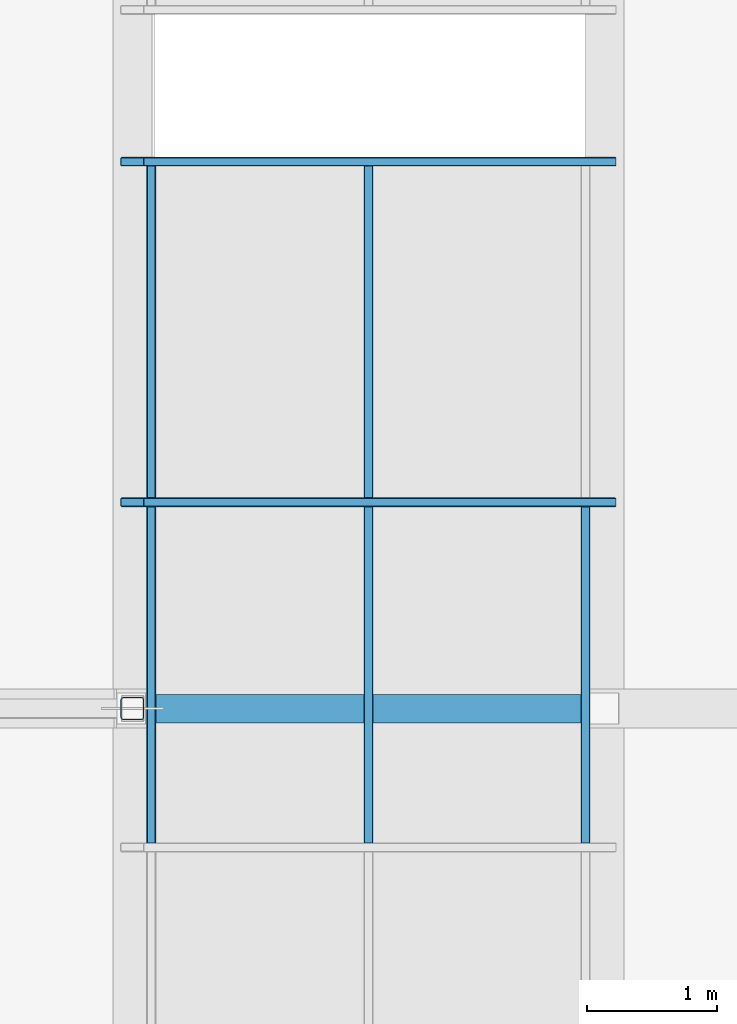
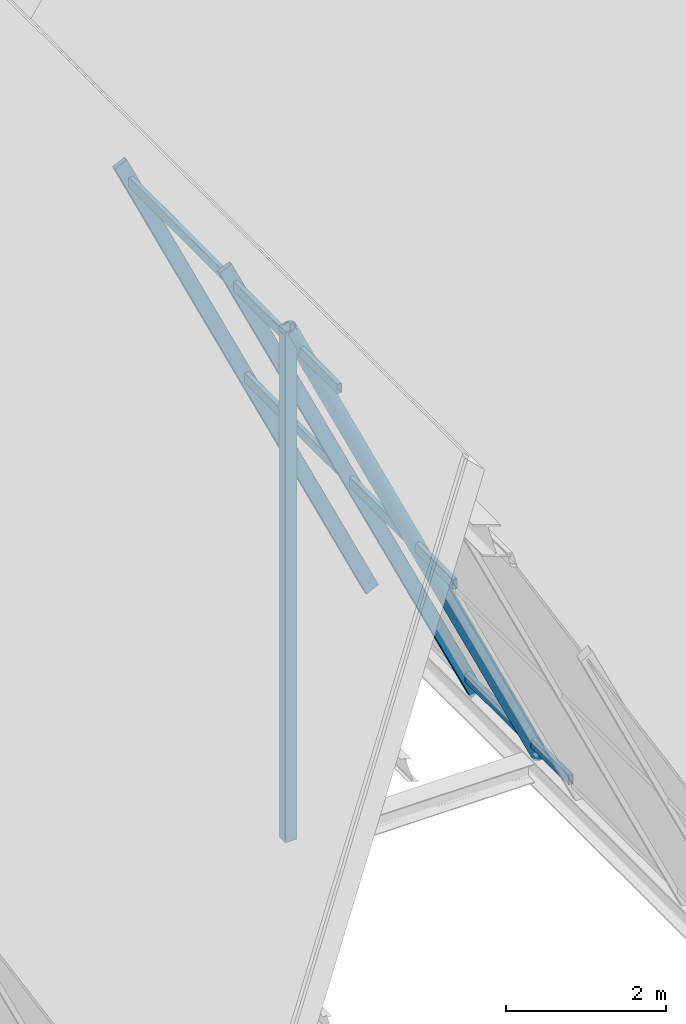
# One storey, part 41 of 99: 9 members, 1 element without a shape of its own.
"""IFC4 building model written with IfcOpenShell, lengths in metres."""

import ifcopenshell
import ifcopenshell.guid

model = None  # the IFC model being written
_history = None  # IfcOwnerHistory: only IFC2X3 demands one
_inside = {}  # id of a spatial element -> (the spatial element, [elements in it])
_under = {}  # id of a project, library or spatial element -> (it, [spatial elements below it])
_declared = {}  # id of a project -> (the project, [libraries it declares])
_typed = {}  # id of a type object -> (the type object, [elements of that type])
_made_of = {}  # id of a material, layer set ... -> (it, [elements and type objects made of it])


def new_model(schema):
    """Start an empty IFC model of exactly this schema.

    Asked for "IFC4X3", IfcOpenShell would pick the latest addendum, in which some entities
    have other attributes; the version numbers below select the first issue.
    IFC2X3 requires an IfcOwnerHistory on every rooted entity: one is made here for all.
    """
    global model, _history
    if schema == "IFC4X3":
        model = ifcopenshell.file(schema_version=(4, 3, 0, 0))
    else:
        model = ifcopenshell.file(schema=schema)
    _inside.clear()
    _under.clear()
    _declared.clear()
    _typed.clear()
    _made_of.clear()
    _history = None
    if model.schema == "IFC2X3":
        org = make("IfcOrganization", Name="unknown")
        user = make(
            "IfcPersonAndOrganization",
            ThePerson=make("IfcPerson", FamilyName="unknown"),
            TheOrganization=org,
        )
        app = make(
            "IfcApplication",
            ApplicationDeveloper=org,
            Version="unknown",
            ApplicationFullName="unknown",
            ApplicationIdentifier="unknown",
        )
        _history = make(
            "IfcOwnerHistory",
            OwningUser=user,
            OwningApplication=app,
            ChangeAction="ADDED",
            CreationDate=0,
        )
    return model


def make(cls, **values):
    """One entity of the class cls with the attributes given. An attribute that is None is left unset."""
    return model.create_entity(
        cls, **{name: value for name, value in values.items() if value is not None}
    )


def rooted(cls, **values):
    """An entity with a GlobalId (a new one), such as an element, a storey or a relation."""
    return make(cls, GlobalId=ifcopenshell.guid.new(), OwnerHistory=_history, **values)


def si_unit(unit_type, name, prefix=None):
    """IfcSIUnit, for example si_unit("LENGTHUNIT", "METRE", prefix="MILLI")."""
    return make("IfcSIUnit", UnitType=unit_type, Prefix=prefix, Name=name)


def assignment(units):
    """IfcUnitAssignment: the units of a project."""
    return None if units is None else make("IfcUnitAssignment", Units=units)


def point(xyz):
    """IfcCartesianPoint."""
    return None if xyz is None else make("IfcCartesianPoint", Coordinates=xyz)


def direction(xyz):
    """IfcDirection."""
    return None if xyz is None else make("IfcDirection", DirectionRatios=xyz)


def frame(location, z_axis=None, x_axis=None):
    """IfcAxis2Placement3D, a coordinate frame: its origin and axes. An axis left out is left unset."""
    return make(
        "IfcAxis2Placement3D",
        Location=point(location),
        Axis=direction(z_axis),
        RefDirection=direction(x_axis),
    )


def frame_2d(location, x_axis=None):
    """IfcAxis2Placement2D, a coordinate frame in the plane: its origin and x axis."""
    return make(
        "IfcAxis2Placement2D", Location=point(location), RefDirection=direction(x_axis)
    )


def origin():
    """The frame at (0, 0, 0) with its axes left unset."""
    return frame((0.0, 0.0, 0.0))


def origin_2d():
    """The frame at (0, 0) in the plane with its x axis left unset."""
    return frame_2d((0.0, 0.0))


def place(relative_to, where):
    """IfcLocalPlacement: puts the frame where relative to a parent placement (None: the world)."""
    return make(
        "IfcLocalPlacement", PlacementRelTo=relative_to, RelativePlacement=where
    )


def context(
    kind, dimensions, precision=None, world=None, true_north=None, identifier=None
):
    """IfcGeometricRepresentationContext, for example the 3D "Model" context."""
    return make(
        "IfcGeometricRepresentationContext",
        ContextIdentifier=identifier,
        ContextType=kind,
        CoordinateSpaceDimension=dimensions,
        Precision=precision,
        WorldCoordinateSystem=world,
        TrueNorth=true_north,
    )


def subcontext(parent, identifier, kind, view, scale=None):
    """IfcGeometricRepresentationSubContext, for example "Body" below "Model"."""
    return make(
        "IfcGeometricRepresentationSubContext",
        ContextIdentifier=identifier,
        ContextType=kind,
        ParentContext=parent,
        TargetScale=scale,
        TargetView=view,
    )


def project(units=None, contexts=None):
    """IfcProject with its units and contexts."""
    return rooted(
        "IfcProject",
        Name="project",
        RepresentationContexts=contexts,
        UnitsInContext=assignment(units),
    )


def spatial(cls, under=None, at=None, **own):
    """A site, building, storey or space (cls), placed at a placement, below another one or the project."""
    s = rooted(cls, ObjectPlacement=at, **own)
    if under is not None:
        _under.setdefault(under.id(), (under, []))[1].append(s)
    return s


def profile(cls, at=None, kind="AREA", **sizes):
    """A parametric profile (cls). Its sizes go by their IFC names, for example OverallWidth=200.0."""
    return make(cls, ProfileType=kind, Position=at, **sizes)


def hollow_rectangle(**sizes):
    """IfcRectangleHollowProfileDef."""
    return profile("IfcRectangleHollowProfileDef", **sizes)


def hollow_circle(**sizes):
    """IfcCircleHollowProfileDef."""
    return profile("IfcCircleHollowProfileDef", **sizes)


def extrude(swept, where, along, depth):
    """IfcExtrudedAreaSolid: the profile swept, set in the frame where, extruded along a direction by depth."""
    return make(
        "IfcExtrudedAreaSolid",
        SweptArea=swept,
        Position=where,
        ExtrudedDirection=direction(along),
        Depth=depth,
    )


def shape(context_of_items, identifier, shape_type, items):
    """IfcShapeRepresentation: the items that make up one representation, for example the "Body"."""
    return make(
        "IfcShapeRepresentation",
        ContextOfItems=context_of_items,
        RepresentationIdentifier=identifier,
        RepresentationType=shape_type,
        Items=items,
    )


def material(Name=None, Category=None):
    """IfcMaterial."""
    return make("IfcMaterial", Name=Name, Category=Category)


def material_profile(
    of_material, cross_section, Name=None, Category=None, Priority=None
):
    """IfcMaterialProfile: a cross section and its material."""
    return make(
        "IfcMaterialProfile",
        Name=Name,
        Material=of_material,
        Profile=cross_section,
        Priority=Priority,
        Category=Category,
    )


def profile_set(profiles, Name=None, composite=None):
    """IfcMaterialProfileSet."""
    return make(
        "IfcMaterialProfileSet",
        Name=Name,
        MaterialProfiles=profiles,
        CompositeProfile=composite,
    )


def made_of(thing, what):
    """Note that an element or type object is made of a material, layer set ...; save() writes the relation."""
    if what is not None:
        _made_of.setdefault(what.id(), (what, []))[1].append(thing)
    return thing


def type_object(cls, material=None, **own):
    """A type object (cls), such as IfcWallType, which elements share."""
    return made_of(rooted(cls, **own), material)


def element(
    cls,
    number,
    at=None,
    inside=None,
    cuts=None,
    type_object=None,
    material=None,
    context=None,
    identifier="Body",
    shape_type=None,
    held_by="IfcProductDefinitionShape",
    body=None,
    shapes=None,
    **own,
):
    """One element of the class cls, such as IfcWall. Its Tag is "e" and its number.

    at: its placement. inside: the storey or other place that contains it. cuts: it is an
    opening in that element (IfcRelVoidsElement). A single representation is given by context,
    identifier, shape_type and body (its items); several are given by shapes. held_by: the class
    of the entity that holds the representations. save() writes the other relations.
    """
    e = rooted(cls, Tag="e%d" % number, ObjectPlacement=at, **own)
    if body is not None:
        shapes = [shape(context, identifier, shape_type, body)]
    if shapes is not None:
        e.Representation = make(held_by, Representations=shapes)
    if inside is not None:
        _inside.setdefault(inside.id(), (inside, []))[1].append(e)
    if cuts is not None:
        rooted(
            "IfcRelVoidsElement", RelatingBuildingElement=cuts, RelatedOpeningElement=e
        )
    if type_object is not None:
        _typed.setdefault(type_object.id(), (type_object, []))[1].append(e)
    return made_of(e, material)


def aggregate(whole, parts):
    """IfcRelAggregates: a whole, such as a stair, and the parts it consists of."""
    return rooted("IfcRelAggregates", RelatingObject=whole, RelatedObjects=parts)


def save(model, path):
    """Write the relations noted so far, then the file.

    IfcRelAggregates (storeys below a building ...), IfcRelContainedInSpatialStructure (elements
    in a storey), IfcRelDefinesByType, IfcRelAssociatesMaterial and IfcRelDeclares: one each for
    every whole, place, type object, material and project.
    """
    for whole, parts in _under.values():
        aggregate(whole, parts)
    for where, things in _inside.values():
        rooted(
            "IfcRelContainedInSpatialStructure",
            RelatedElements=things,
            RelatingStructure=where,
        )
    for kind, things in _typed.values():
        rooted("IfcRelDefinesByType", RelatedObjects=things, RelatingType=kind)
    for what, things in _made_of.values():
        rooted("IfcRelAssociatesMaterial", RelatedObjects=things, RelatingMaterial=what)
    for by, libraries in _declared.values():
        rooted("IfcRelDeclares", RelatingContext=by, RelatedDefinitions=libraries)
    model.write(path)


model = new_model("IFC4")

# Units and contexts
model_context = context("Model", 3, precision=1e-05, world=origin(), true_north=direction((0.0, 1.0)))
body_context = subcontext(model_context, "Body", "Model", "MODEL_VIEW")
ifc_project = project(units=[si_unit("LENGTHUNIT", "METRE"), si_unit("AREAUNIT", "SQUARE_METRE"), si_unit("VOLUMEUNIT", "CUBIC_METRE"), si_unit("PLANEANGLEUNIT", "RADIAN"), si_unit("MASSUNIT", "GRAM", prefix="KILO")], contexts=[model_context])

# Site, building, storey
site_placement = place(None, origin())
site = spatial("IfcSite", under=ifc_project, at=site_placement, CompositionType="ELEMENT")
building_placement = place(site_placement, origin())
building = spatial("IfcBuilding", under=site, at=building_placement, Name="Bramveld Media Centre", CompositionType="ELEMENT")
storey_placement = place(building_placement, frame((0.0, 0.0, 13.800048828125)))
storey = spatial("IfcBuildingStorey", under=building, at=storey_placement, Name="L03", CompositionType="ELEMENT", Elevation=13.800048828125)

# Curtain wall, members
ifc_material_1 = material(Name="Thermally broken anodized bronze aluminium unitized curtain wall with solar-control triple glazing", Category="aluminium")
curtain_wall_type = type_object("IfcCurtainWallType", Name="CW-SAW-13300x8606", PredefinedType="NOTDEFINED", material=ifc_material_1)
curtain_wall_placement = place(storey_placement, origin())
curtain_wall = element("IfcCurtainWall", 1, at=curtain_wall_placement, inside=storey, type_object=curtain_wall_type, Name="V1 sawtooth north-light clerestory B2-S1", PredefinedType="NOTDEFINED")
ifc_material_2 = material(Name="Thermally broken anodized bronze aluminium EN AW-6063 T6 curtain-wall framing", Category="aluminium")
ifc_material_profile_1 = material_profile(ifc_material_2, hollow_rectangle(XDim=0.070068359375, YDim=0.199951171875, WallThickness=0.00439453125, InnerFilletRadius=0.00439453125, OuterFilletRadius=0.009033203125, at=origin_2d()), Name="AL-MULL 70x200")
ifc_profile_set_1 = profile_set([ifc_material_profile_1], Name="Thermally broken anodized bronze aluminium EN AW-6063 T6 curtain-wall framing")
member_type_1 = type_object("IfcMemberType", Name="CW-MULL-SLP", PredefinedType="MULLION", material=ifc_profile_set_1)
member_1_placement = place(storey_placement, frame((141.71435546875, 11.18994140625, -0.02001953125), z_axis=(-0.423980334249, 0.0, 0.905671395248), x_axis=(0.0, -1.0, 0.0)))
member_1 = element("IfcMember", 2, at=member_1_placement, type_object=member_type_1, Name="CW-SA-13386 sloped mullion 5", PredefinedType="MULLION", context=body_context, shape_type="SweptSolid", body=[
    extrude(hollow_rectangle(XDim=0.070068359375, YDim=0.199951171875, WallThickness=0.00439453125, InnerFilletRadius=0.00439453125, OuterFilletRadius=0.009033203125, at=origin_2d()), origin(), (0.0, 0.0, 1.0), 8.579345703125),
])
member_2_placement = place(storey_placement, frame((141.71435546875, 13.81494140625, -0.02001953125), z_axis=(-0.423980334249, 0.0, 0.905671395248), x_axis=(0.0, -1.0, 0.0)))
member_2 = element("IfcMember", 3, at=member_2_placement, type_object=member_type_1, Name="CW-SA-13386 sloped mullion 6", PredefinedType="MULLION", context=body_context, shape_type="SweptSolid", body=[
    extrude(hollow_rectangle(XDim=0.070068359375, YDim=0.199951171875, WallThickness=0.00439453125, InnerFilletRadius=0.00439453125, OuterFilletRadius=0.009033203125, at=origin_2d()), origin(), (0.0, 0.0, 1.0), 8.579345703125),
])
ifc_material_3 = material(Name="Thermally broken anodized bronze aluminium EN AW-6063 T6 curtain-wall framing", Category="aluminium")
ifc_material_profile_2 = material_profile(ifc_material_3, hollow_rectangle(XDim=0.070068359375, YDim=0.14990234375, WallThickness=0.00390625, InnerFilletRadius=0.00390625, OuterFilletRadius=0.008056640625, at=origin_2d()), Name="AL-TRAN 70x150")
ifc_profile_set_2 = profile_set([ifc_material_profile_2], Name="Thermally broken anodized bronze aluminium EN AW-6063 T6 curtain-wall framing")
member_type_2 = type_object("IfcMemberType", Name="CW-TRAN-SLP", PredefinedType="USERDEFINED", material=ifc_profile_set_2)
member_3_placement = place(storey_placement, frame((141.56884765625, 8.56494140625, 0.290771484375), z_axis=(0.0, 1.0, 0.0), x_axis=(-1.0, 0.0, 0.0)))
member_3 = element("IfcMember", 4, at=member_3_placement, type_object=member_type_2, Name="CW-SA-13386 transom 4.1", ObjectType="TRANSOM", PredefinedType="USERDEFINED", context=body_context, shape_type="SweptSolid", body=[
    extrude(hollow_rectangle(XDim=0.070068359375, YDim=0.14990234375, WallThickness=0.00390625, InnerFilletRadius=0.00390625, OuterFilletRadius=0.008056640625, at=origin_2d()), origin(), (0.0, 0.0, 1.0), 2.590087890625),
])
member_4_placement = place(storey_placement, frame((139.8955078125, 8.56494140625, 3.864990234375), z_axis=(0.0, 1.0, 0.0), x_axis=(-1.0, 0.0, 0.0)))
member_4 = element("IfcMember", 5, at=member_4_placement, type_object=member_type_2, Name="CW-SA-13386 transom 4.2", ObjectType="TRANSOM", PredefinedType="USERDEFINED", context=body_context, shape_type="SweptSolid", body=[
    extrude(hollow_rectangle(XDim=0.070068359375, YDim=0.14990234375, WallThickness=0.00390625, InnerFilletRadius=0.00390625, OuterFilletRadius=0.008056640625, at=origin_2d()), origin(), (0.0, 0.0, 1.0), 2.590087890625),
])
member_5_placement = place(storey_placement, frame((138.222412109375, 8.56494140625, 7.439208984375), z_axis=(0.0, 1.0, 0.0), x_axis=(-1.0, 0.0, 0.0)))
member_5 = element("IfcMember", 6, at=member_5_placement, type_object=member_type_2, Name="CW-SA-13386 transom 4.3", ObjectType="TRANSOM", PredefinedType="USERDEFINED", context=body_context, shape_type="SweptSolid", body=[
    extrude(hollow_rectangle(XDim=0.070068359375, YDim=0.14990234375, WallThickness=0.00390625, InnerFilletRadius=0.00390625, OuterFilletRadius=0.008056640625, at=origin_2d()), origin(), (0.0, 0.0, 1.0), 2.590087890625),
])
member_6_placement = place(storey_placement, frame((139.8955078125, 11.22509765625, 3.864990234375), z_axis=(0.0, 1.0, 0.0), x_axis=(-1.0, 0.0, 0.0)))
member_6 = element("IfcMember", 7, at=member_6_placement, type_object=member_type_2, Name="CW-SA-13386 transom 5.2", ObjectType="TRANSOM", PredefinedType="USERDEFINED", context=body_context, shape_type="SweptSolid", body=[
    extrude(hollow_rectangle(XDim=0.070068359375, YDim=0.14990234375, WallThickness=0.00390625, InnerFilletRadius=0.00390625, OuterFilletRadius=0.008056640625, at=origin_2d()), origin(), (0.0, 0.0, 1.0), 2.554931640625),
])
member_7_placement = place(storey_placement, frame((138.222412109375, 11.22509765625, 7.439208984375), z_axis=(0.0, 1.0, 0.0), x_axis=(-1.0, 0.0, 0.0)))
member_7 = element("IfcMember", 8, at=member_7_placement, type_object=member_type_2, Name="CW-SA-13386 transom 5.3", ObjectType="TRANSOM", PredefinedType="USERDEFINED", context=body_context, shape_type="SweptSolid", body=[
    extrude(hollow_rectangle(XDim=0.070068359375, YDim=0.14990234375, WallThickness=0.00390625, InnerFilletRadius=0.00390625, OuterFilletRadius=0.008056640625, at=origin_2d()), origin(), (0.0, 0.0, 1.0), 2.554931640625),
])
aggregate(curtain_wall, [member_1, member_2, member_3, member_4, member_5, member_6, member_7])

# Members
ifc_material_4 = material(Name="Steel S355J2H", Category="steel")
ifc_material_profile_3 = material_profile(ifc_material_4, hollow_circle(Radius=0.109619140625, WallThickness=0.012451171875, at=origin_2d()), Name="CHS 219.1x12.5")
ifc_profile_set_3 = profile_set([ifc_material_profile_3], Name="Steel S355J2H")
member_type_3 = type_object("IfcMemberType", Name="MEM-BRACE-CHS219", PredefinedType="BRACE", material=ifc_profile_set_3)
member_8_placement = place(storey_placement, frame((141.71435546875, 9.60009765625, 0.0), z_axis=(-0.422640085544, 0.0, 0.90629761011), x_axis=(0.0, -1.0, 0.0)))
element("IfcMember", 9, at=member_8_placement, inside=storey, type_object=member_type_3, Name="TRUSS-V1-B02-F2 north-light strut", PredefinedType="BRACE", context=body_context, shape_type="SweptSolid", body=[
    extrude(hollow_circle(Radius=0.109619140625, WallThickness=0.012451171875, at=origin_2d()), origin(), (0.0, 0.0, 1.0), 8.6064453125),
])
ifc_material_5 = material(Name="Steel S355J2H", Category="steel")
ifc_material_profile_4 = material_profile(ifc_material_5, hollow_rectangle(XDim=0.179931640625, YDim=0.179931640625, WallThickness=0.010009765625, InnerFilletRadius=0.010009765625, OuterFilletRadius=0.02001953125, at=origin_2d()), Name="SHS 180x180x10")
ifc_profile_set_4 = profile_set([ifc_material_profile_4], Name="Steel S355J2H")
member_type_4 = type_object("IfcMemberType", Name="MEM-POST-SHS180", PredefinedType="POST", material=ifc_profile_set_4)
member_9_placement = place(storey_placement, frame((138.076904296875, 9.60009765625, 0.0), z_axis=(0.0, 0.0, 1.0), x_axis=(1.0, 0.0, 0.0)))
element("IfcMember", 10, at=member_9_placement, inside=storey, type_object=member_type_4, Name="TRUSS-V1-B02-F2 kingpost", PredefinedType="POST", context=body_context, shape_type="SweptSolid", body=[
    extrude(hollow_rectangle(XDim=0.179931640625, YDim=0.179931640625, WallThickness=0.010009765625, InnerFilletRadius=0.010009765625, OuterFilletRadius=0.02001953125, at=origin_2d()), origin(), (0.0, 0.0, 1.0), 7.800048828125),
])

save(model, "model.ifc")
